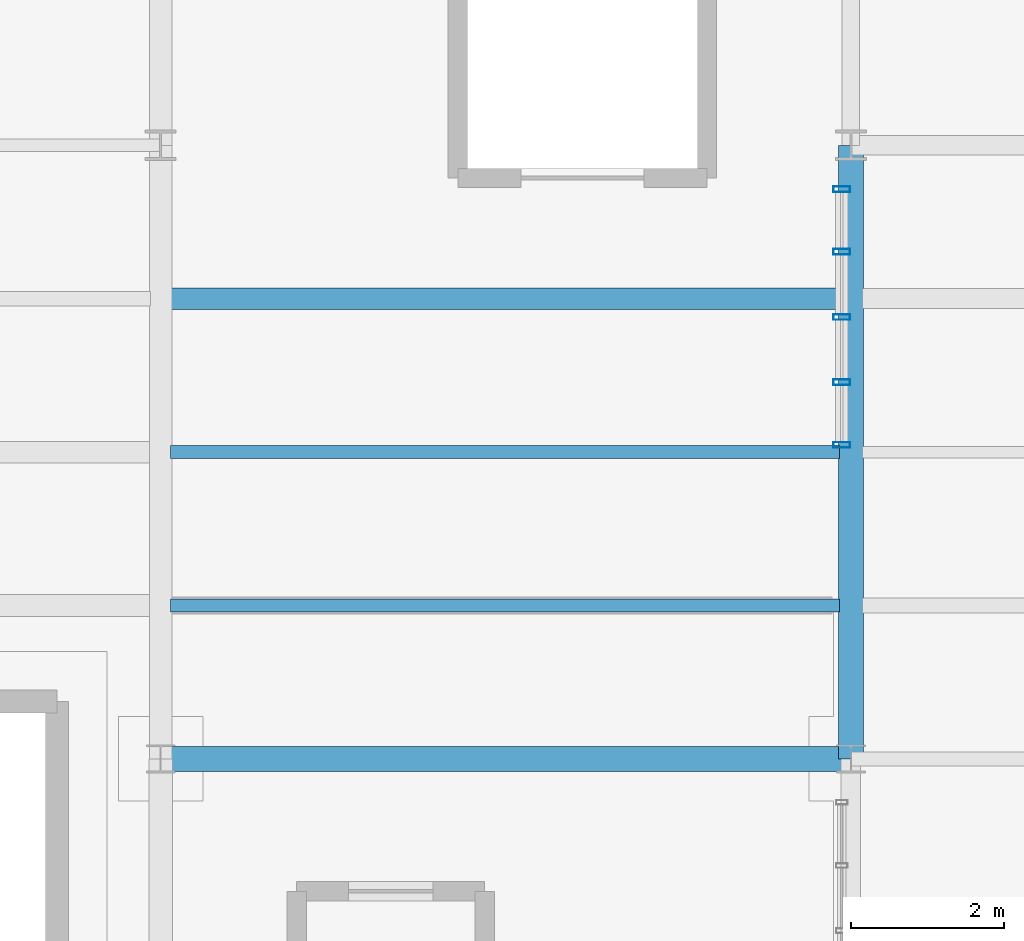
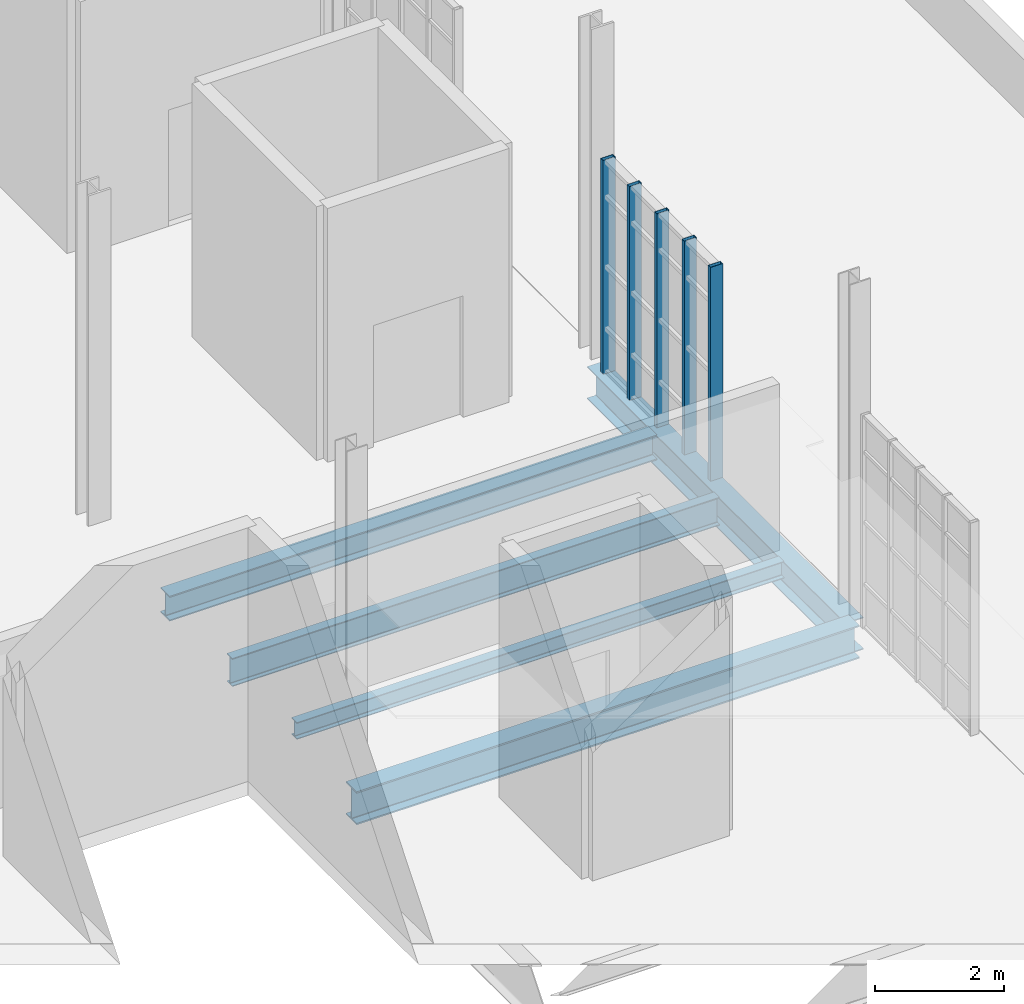
# One storey, part 37 of 118: 5 beams, 5 members, 1 element without a shape of its own.
"""IFC4 building model written with IfcOpenShell, lengths in metres."""

from ifc_helpers import new_model, si_unit, direction, frame, origin, origin_2d, place, context, subcontext, project, spatial, hollow_rectangle, i_section, extrude, material, layer, layer_set, material_profile, profile_set, type_object, element, aggregate, save


model = new_model("IFC4")

# Units and contexts
model_context = context("Model", 3, precision=1e-05, world=origin(), true_north=direction((0.0, 1.0)))
body_context = subcontext(model_context, "Body", "Model", "MODEL_VIEW")
ifc_project = project(units=[si_unit("LENGTHUNIT", "METRE"), si_unit("AREAUNIT", "SQUARE_METRE"), si_unit("VOLUMEUNIT", "CUBIC_METRE"), si_unit("PLANEANGLEUNIT", "RADIAN"), si_unit("MASSUNIT", "GRAM", prefix="KILO"), si_unit("THERMODYNAMICTEMPERATUREUNIT", "KELVIN"), si_unit("POWERUNIT", "WATT")], contexts=[model_context])

# Site, building, storey
site_placement = place(None, origin())
site = spatial("IfcSite", under=ifc_project, at=site_placement, CompositionType="ELEMENT")
building_placement = place(site_placement, origin())
building = spatial("IfcBuilding", under=site, at=building_placement, Name="Zelmaris Science Centre", CompositionType="ELEMENT")
storey_placement = place(building_placement, frame((0.0, 0.0, 15.60009765625)))
storey = spatial("IfcBuildingStorey", under=building, at=storey_placement, Name="L03", CompositionType="ELEMENT", Elevation=15.60009765625)

# Curtain wall, members
ifc_material_1 = material(Name="Anodised architectural aluminium 6063-T6", Category="aluminium")
ifc_layer = layer(ifc_material_1, 0.199951171875, Name="Anodised architectural aluminium 6063-T6")
ifc_layer_set = layer_set([ifc_layer], Name="Anodised architectural aluminium 6063-T6")
curtain_wall_type = type_object("IfcCurtainWallType", Name="Curtain Wall CW-02", PredefinedType="USERDEFINED", material=ifc_layer_set)
curtain_wall_placement = place(storey_placement, origin())
curtain_wall = element("IfcCurtainWall", 1, at=curtain_wall_placement, inside=storey, type_object=curtain_wall_type, Name="L03 Unitised curtain wall 302", ObjectType="GLAZED CURTAIN WALL", PredefinedType="USERDEFINED")
ifc_material_profile_1 = material_profile(ifc_material_1, hollow_rectangle(XDim=0.074951171875, YDim=0.219970703125, WallThickness=0.0048828125, at=origin_2d()), Name="ALU-MUL-75X220")
ifc_profile_set_1 = profile_set([ifc_material_profile_1], Name="Anodised architectural aluminium 6063-T6")
member_type = type_object("IfcMemberType", Name="ALU-MUL-75X220", PredefinedType="MULLION", material=ifc_profile_set_1)
member_1_placement = place(storey_placement, frame((134.8798828125, 31.426513671875, -0.01513671875), z_axis=(0.0, 0.0, 1.0), x_axis=(0.0, -1.0, 0.0)))
member_1 = element("IfcMember", 2, at=member_1_placement, type_object=member_type, Name="CW-02 mullion 1", PredefinedType="MULLION", context=body_context, shape_type="SweptSolid", body=[
    extrude(hollow_rectangle(XDim=0.074951171875, YDim=0.219970703125, WallThickness=0.0048828125, at=origin_2d()), origin(), (0.0, 0.0, 1.0), 4.044921875),
])
member_2_placement = place(storey_placement, frame((134.8798828125, 30.610107421875, -0.01513671875), z_axis=(0.0, 0.0, 1.0), x_axis=(0.0, -1.0, 0.0)))
member_2 = element("IfcMember", 3, at=member_2_placement, type_object=member_type, Name="CW-02 mullion 2", PredefinedType="MULLION", context=body_context, shape_type="SweptSolid", body=[
    extrude(hollow_rectangle(XDim=0.074951171875, YDim=0.219970703125, WallThickness=0.0048828125, at=origin_2d()), origin(), (0.0, 0.0, 1.0), 4.044921875),
])
member_3_placement = place(storey_placement, frame((134.8798828125, 29.760009765625, -0.01513671875), z_axis=(0.0, 0.0, 1.0), x_axis=(0.0, -1.0, 0.0)))
member_3 = element("IfcMember", 4, at=member_3_placement, type_object=member_type, Name="CW-02 mullion 3", PredefinedType="MULLION", context=body_context, shape_type="SweptSolid", body=[
    extrude(hollow_rectangle(XDim=0.074951171875, YDim=0.219970703125, WallThickness=0.0048828125, at=origin_2d()), origin(), (0.0, 0.0, 1.0), 4.044921875),
])
member_4_placement = place(storey_placement, frame((134.8798828125, 28.909912109375, -0.01513671875), z_axis=(0.0, 0.0, 1.0), x_axis=(0.0, -1.0, 0.0)))
member_4 = element("IfcMember", 5, at=member_4_placement, type_object=member_type, Name="CW-02 mullion 4", PredefinedType="MULLION", context=body_context, shape_type="SweptSolid", body=[
    extrude(hollow_rectangle(XDim=0.074951171875, YDim=0.219970703125, WallThickness=0.0048828125, at=origin_2d()), origin(), (0.0, 0.0, 1.0), 4.044921875),
])
member_5_placement = place(storey_placement, frame((134.8798828125, 28.093505859375, -0.01513671875), z_axis=(0.0, 0.0, 1.0), x_axis=(0.0, -1.0, 0.0)))
member_5 = element("IfcMember", 6, at=member_5_placement, type_object=member_type, Name="CW-02 mullion 5", PredefinedType="MULLION", context=body_context, shape_type="SweptSolid", body=[
    extrude(hollow_rectangle(XDim=0.074951171875, YDim=0.219970703125, WallThickness=0.0048828125, at=origin_2d()), origin(), (0.0, 0.0, 1.0), 4.044921875),
])
aggregate(curtain_wall, [member_1, member_2, member_3, member_4, member_5])

# Beams
ifc_material_2 = material(Name="Steel ASTM A992 Grade 50", Category="steel")
ifc_material_profile_2 = material_profile(ifc_material_2, i_section(OverallWidth=0.324951171875, OverallDepth=0.612060546875, WebThickness=0.0126953125, FlangeThickness=0.01904296875, FilletRadius=0.014892578125, at=origin_2d()), Name="W24X104")
ifc_profile_set_2 = profile_set([ifc_material_profile_2], Name="Steel ASTM A992 Grade 50")
beam_type_1 = type_object("IfcBeamType", Name="Beam G-15 W24X104", PredefinedType="BEAM", material=ifc_profile_set_2)
beam_1_placement = place(storey_placement, frame((135.0, 24.0, -0.566162109375), z_axis=(0.0, 1.0, 0.0), x_axis=(-1.0, 0.0, 0.0)))
element("IfcBeam", 7, at=beam_1_placement, inside=storey, type_object=beam_type_1, Name="L03 North-south girder 721", PredefinedType="BEAM", context=body_context, shape_type="SweptSolid", body=[
    extrude(i_section(OverallWidth=0.324951171875, OverallDepth=0.612060546875, WebThickness=0.0126953125, FlangeThickness=0.01904296875, FilletRadius=0.014892578125, at=origin_2d()), origin(), (0.0, 0.0, 1.0), 8.0),
])
ifc_material_profile_3 = material_profile(ifc_material_2, i_section(OverallWidth=0.327880859375, OverallDepth=0.626953125, WebThickness=0.0166015625, FlangeThickness=0.027587890625, FilletRadius=0.014892578125, at=origin_2d()), Name="W24X146")
ifc_profile_set_3 = profile_set([ifc_material_profile_3], Name="Steel ASTM A992 Grade 50")
beam_type_2 = type_object("IfcBeamType", Name="Beam G-37 W24X146", PredefinedType="BEAM", material=ifc_profile_set_3)
beam_2_placement = place(storey_placement, frame((126.0, 24.0, -0.573486328125), z_axis=(1.0, 0.0, 0.0), x_axis=(0.0, 1.0, 0.0)))
element("IfcBeam", 8, at=beam_2_placement, inside=storey, type_object=beam_type_2, Name="L03 East-west girder 739", PredefinedType="BEAM", context=body_context, shape_type="SweptSolid", body=[
    extrude(i_section(OverallWidth=0.327880859375, OverallDepth=0.626953125, WebThickness=0.0166015625, FlangeThickness=0.027587890625, FilletRadius=0.014892578125, at=origin_2d()), origin(), (0.0, 0.0, 1.0), 9.0),
])
ifc_material_profile_4 = material_profile(ifc_material_2, i_section(OverallWidth=0.16796875, OverallDepth=0.532958984375, WebThickness=0.01025390625, FlangeThickness=0.0166015625, FilletRadius=0.013916015625, at=origin_2d()), Name="W21X57")
ifc_profile_set_4 = profile_set([ifc_material_profile_4], Name="Steel ASTM A992 Grade 50")
beam_type_3 = type_object("IfcBeamType", Name="Beam J-01 W21X57", PredefinedType="JOIST", material=ifc_profile_set_4)
beam_3_placement = place(storey_placement, frame((126.132568359375, 28.0, -0.526611328125), z_axis=(1.0, 0.0, 0.0), x_axis=(0.0, 1.0, 0.0)))
element("IfcBeam", 9, at=beam_3_placement, inside=storey, type_object=beam_type_3, Name="L03 Composite floor joist 369", PredefinedType="JOIST", context=body_context, shape_type="SweptSolid", body=[
    extrude(i_section(OverallWidth=0.16796875, OverallDepth=0.532958984375, WebThickness=0.01025390625, FlangeThickness=0.0166015625, FilletRadius=0.013916015625, at=origin_2d()), origin(), (0.0, 0.0, 1.0), 8.719970703125),
])
ifc_material_profile_5 = material_profile(ifc_material_2, i_section(OverallWidth=0.281982421875, OverallDepth=0.471923828125, WebThickness=0.013671875, FlangeThickness=0.022216796875, FilletRadius=0.012939453125, at=origin_2d()), Name="W18X97")
ifc_profile_set_5 = profile_set([ifc_material_profile_5], Name="Steel ASTM A992 Grade 50")
beam_type_4 = type_object("IfcBeamType", Name="Beam J-02 W18X97", PredefinedType="JOIST", material=ifc_profile_set_5)
beam_4_placement = place(storey_placement, frame((126.132568359375, 30.0, -0.49609375), z_axis=(1.0, 0.0, 0.0), x_axis=(0.0, 1.0, 0.0)))
element("IfcBeam", 10, at=beam_4_placement, inside=storey, type_object=beam_type_4, Name="L03 Composite floor joist 370", PredefinedType="JOIST", context=body_context, shape_type="SweptSolid", body=[
    extrude(i_section(OverallWidth=0.281982421875, OverallDepth=0.471923828125, WebThickness=0.013671875, FlangeThickness=0.022216796875, FilletRadius=0.012939453125, at=origin_2d()), origin(), (0.0, 0.0, 1.0), 8.719970703125),
])
ifc_material_profile_6 = material_profile(ifc_material_2, i_section(OverallWidth=0.1669921875, OverallDepth=0.318115234375, WebThickness=0.007568359375, FlangeThickness=0.01318359375, FilletRadius=0.011962890625, at=origin_2d()), Name="W12X35")
ifc_profile_set_6 = profile_set([ifc_material_profile_6], Name="Steel ASTM A992 Grade 50")
beam_type_5 = type_object("IfcBeamType", Name="Beam J-09 W12X35", PredefinedType="JOIST", material=ifc_profile_set_6)
beam_5_placement = place(storey_placement, frame((126.132568359375, 26.0, -0.419189453125), z_axis=(1.0, 0.0, 0.0), x_axis=(0.0, 1.0, 0.0)))
element("IfcBeam", 11, at=beam_5_placement, inside=storey, type_object=beam_type_5, Name="L03 Composite floor joist 368", PredefinedType="JOIST", context=body_context, shape_type="SweptSolid", body=[
    extrude(i_section(OverallWidth=0.1669921875, OverallDepth=0.318115234375, WebThickness=0.007568359375, FlangeThickness=0.01318359375, FilletRadius=0.011962890625, at=origin_2d()), origin(), (0.0, 0.0, 1.0), 8.719970703125),
])

save(model, "model.ifc")
